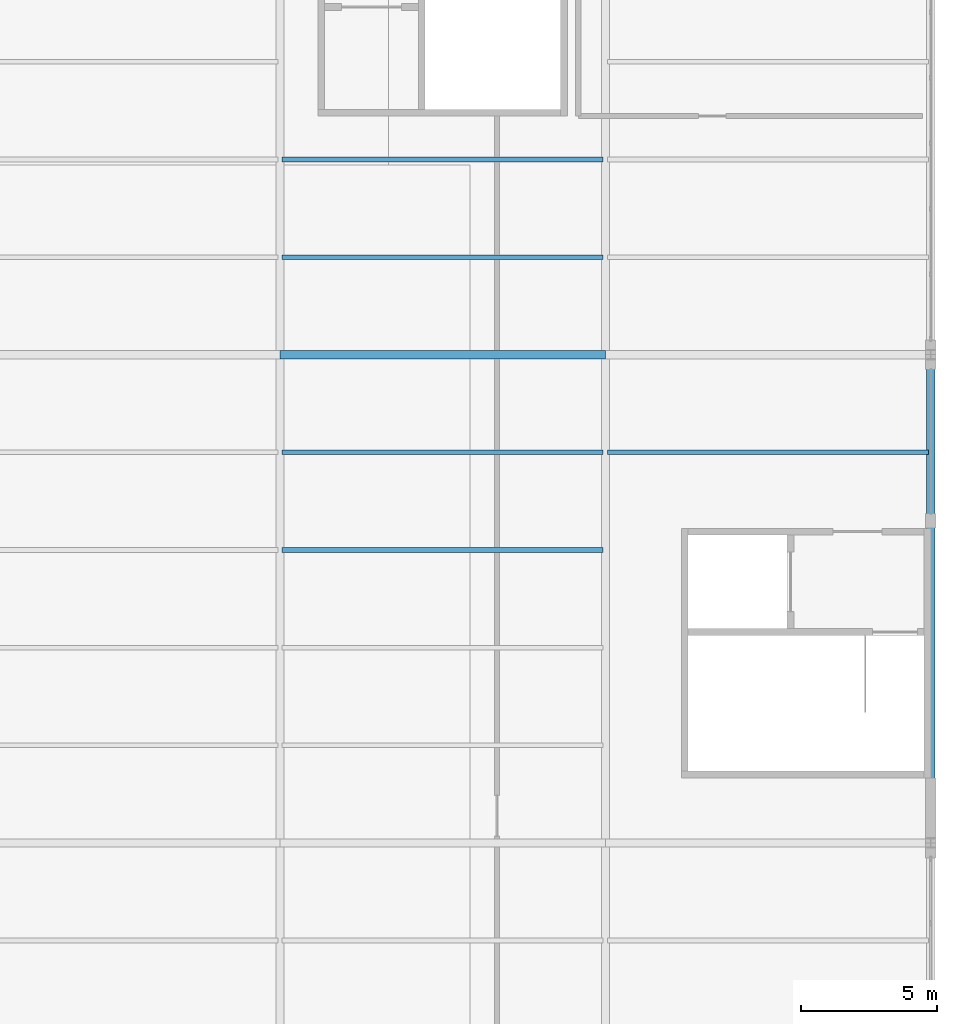
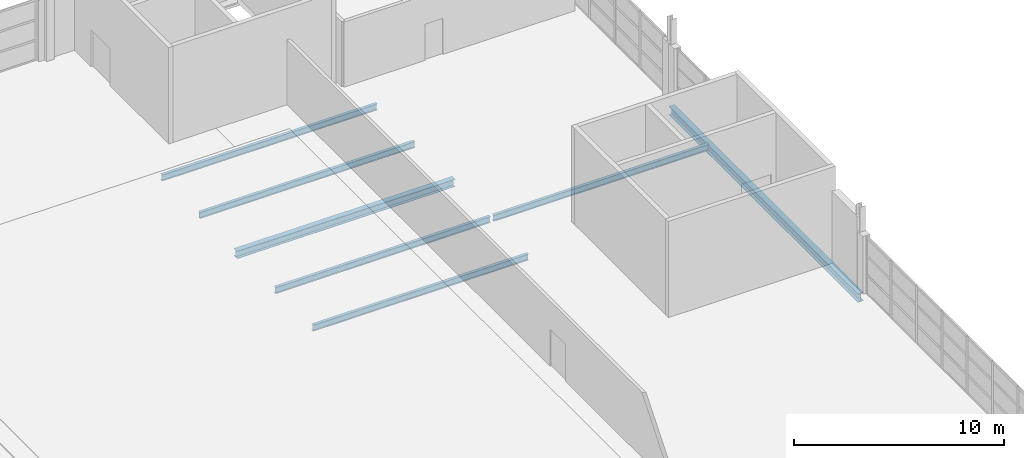
# One storey, part 43 of 86: 7 beams.
"""IFC4 building model written with IfcOpenShell, lengths in metres."""

import ifcopenshell
import ifcopenshell.guid

model = None  # the IFC model being written
_history = None  # IfcOwnerHistory: only IFC2X3 demands one
_inside = {}  # id of a spatial element -> (the spatial element, [elements in it])
_under = {}  # id of a project, library or spatial element -> (it, [spatial elements below it])
_declared = {}  # id of a project -> (the project, [libraries it declares])
_typed = {}  # id of a type object -> (the type object, [elements of that type])
_made_of = {}  # id of a material, layer set ... -> (it, [elements and type objects made of it])


def new_model(schema):
    """Start an empty IFC model of exactly this schema.

    Asked for "IFC4X3", IfcOpenShell would pick the latest addendum, in which some entities
    have other attributes; the version numbers below select the first issue.
    IFC2X3 requires an IfcOwnerHistory on every rooted entity: one is made here for all.
    """
    global model, _history
    if schema == "IFC4X3":
        model = ifcopenshell.file(schema_version=(4, 3, 0, 0))
    else:
        model = ifcopenshell.file(schema=schema)
    _inside.clear()
    _under.clear()
    _declared.clear()
    _typed.clear()
    _made_of.clear()
    _history = None
    if model.schema == "IFC2X3":
        org = make("IfcOrganization", Name="unknown")
        user = make(
            "IfcPersonAndOrganization",
            ThePerson=make("IfcPerson", FamilyName="unknown"),
            TheOrganization=org,
        )
        app = make(
            "IfcApplication",
            ApplicationDeveloper=org,
            Version="unknown",
            ApplicationFullName="unknown",
            ApplicationIdentifier="unknown",
        )
        _history = make(
            "IfcOwnerHistory",
            OwningUser=user,
            OwningApplication=app,
            ChangeAction="ADDED",
            CreationDate=0,
        )
    return model


def make(cls, **values):
    """One entity of the class cls with the attributes given. An attribute that is None is left unset."""
    return model.create_entity(
        cls, **{name: value for name, value in values.items() if value is not None}
    )


def rooted(cls, **values):
    """An entity with a GlobalId (a new one), such as an element, a storey or a relation."""
    return make(cls, GlobalId=ifcopenshell.guid.new(), OwnerHistory=_history, **values)


def si_unit(unit_type, name, prefix=None):
    """IfcSIUnit, for example si_unit("LENGTHUNIT", "METRE", prefix="MILLI")."""
    return make("IfcSIUnit", UnitType=unit_type, Prefix=prefix, Name=name)


def assignment(units):
    """IfcUnitAssignment: the units of a project."""
    return None if units is None else make("IfcUnitAssignment", Units=units)


def point(xyz):
    """IfcCartesianPoint."""
    return None if xyz is None else make("IfcCartesianPoint", Coordinates=xyz)


def direction(xyz):
    """IfcDirection."""
    return None if xyz is None else make("IfcDirection", DirectionRatios=xyz)


def frame(location, z_axis=None, x_axis=None):
    """IfcAxis2Placement3D, a coordinate frame: its origin and axes. An axis left out is left unset."""
    return make(
        "IfcAxis2Placement3D",
        Location=point(location),
        Axis=direction(z_axis),
        RefDirection=direction(x_axis),
    )


def frame_2d(location, x_axis=None):
    """IfcAxis2Placement2D, a coordinate frame in the plane: its origin and x axis."""
    return make(
        "IfcAxis2Placement2D", Location=point(location), RefDirection=direction(x_axis)
    )


def origin():
    """The frame at (0, 0, 0) with its axes left unset."""
    return frame((0.0, 0.0, 0.0))


def origin_2d():
    """The frame at (0, 0) in the plane with its x axis left unset."""
    return frame_2d((0.0, 0.0))


def place(relative_to, where):
    """IfcLocalPlacement: puts the frame where relative to a parent placement (None: the world)."""
    return make(
        "IfcLocalPlacement", PlacementRelTo=relative_to, RelativePlacement=where
    )


def context(
    kind, dimensions, precision=None, world=None, true_north=None, identifier=None
):
    """IfcGeometricRepresentationContext, for example the 3D "Model" context."""
    return make(
        "IfcGeometricRepresentationContext",
        ContextIdentifier=identifier,
        ContextType=kind,
        CoordinateSpaceDimension=dimensions,
        Precision=precision,
        WorldCoordinateSystem=world,
        TrueNorth=true_north,
    )


def subcontext(parent, identifier, kind, view, scale=None):
    """IfcGeometricRepresentationSubContext, for example "Body" below "Model"."""
    return make(
        "IfcGeometricRepresentationSubContext",
        ContextIdentifier=identifier,
        ContextType=kind,
        ParentContext=parent,
        TargetScale=scale,
        TargetView=view,
    )


def project(units=None, contexts=None):
    """IfcProject with its units and contexts."""
    return rooted(
        "IfcProject",
        Name="project",
        RepresentationContexts=contexts,
        UnitsInContext=assignment(units),
    )


def spatial(cls, under=None, at=None, **own):
    """A site, building, storey or space (cls), placed at a placement, below another one or the project."""
    s = rooted(cls, ObjectPlacement=at, **own)
    if under is not None:
        _under.setdefault(under.id(), (under, []))[1].append(s)
    return s


def profile(cls, at=None, kind="AREA", **sizes):
    """A parametric profile (cls). Its sizes go by their IFC names, for example OverallWidth=200.0."""
    return make(cls, ProfileType=kind, Position=at, **sizes)


def i_section(**sizes):
    """IfcIShapeProfileDef."""
    return profile("IfcIShapeProfileDef", **sizes)


def extrude(swept, where, along, depth):
    """IfcExtrudedAreaSolid: the profile swept, set in the frame where, extruded along a direction by depth."""
    return make(
        "IfcExtrudedAreaSolid",
        SweptArea=swept,
        Position=where,
        ExtrudedDirection=direction(along),
        Depth=depth,
    )


def shape(context_of_items, identifier, shape_type, items):
    """IfcShapeRepresentation: the items that make up one representation, for example the "Body"."""
    return make(
        "IfcShapeRepresentation",
        ContextOfItems=context_of_items,
        RepresentationIdentifier=identifier,
        RepresentationType=shape_type,
        Items=items,
    )


def material(Name=None, Category=None):
    """IfcMaterial."""
    return make("IfcMaterial", Name=Name, Category=Category)


def material_profile(
    of_material, cross_section, Name=None, Category=None, Priority=None
):
    """IfcMaterialProfile: a cross section and its material."""
    return make(
        "IfcMaterialProfile",
        Name=Name,
        Material=of_material,
        Profile=cross_section,
        Priority=Priority,
        Category=Category,
    )


def profile_set(profiles, Name=None, composite=None):
    """IfcMaterialProfileSet."""
    return make(
        "IfcMaterialProfileSet",
        Name=Name,
        MaterialProfiles=profiles,
        CompositeProfile=composite,
    )


def made_of(thing, what):
    """Note that an element or type object is made of a material, layer set ...; save() writes the relation."""
    if what is not None:
        _made_of.setdefault(what.id(), (what, []))[1].append(thing)
    return thing


def type_object(cls, material=None, **own):
    """A type object (cls), such as IfcWallType, which elements share."""
    return made_of(rooted(cls, **own), material)


def element(
    cls,
    number,
    at=None,
    inside=None,
    cuts=None,
    type_object=None,
    material=None,
    context=None,
    identifier="Body",
    shape_type=None,
    held_by="IfcProductDefinitionShape",
    body=None,
    shapes=None,
    **own,
):
    """One element of the class cls, such as IfcWall. Its Tag is "e" and its number.

    at: its placement. inside: the storey or other place that contains it. cuts: it is an
    opening in that element (IfcRelVoidsElement). A single representation is given by context,
    identifier, shape_type and body (its items); several are given by shapes. held_by: the class
    of the entity that holds the representations. save() writes the other relations.
    """
    e = rooted(cls, Tag="e%d" % number, ObjectPlacement=at, **own)
    if body is not None:
        shapes = [shape(context, identifier, shape_type, body)]
    if shapes is not None:
        e.Representation = make(held_by, Representations=shapes)
    if inside is not None:
        _inside.setdefault(inside.id(), (inside, []))[1].append(e)
    if cuts is not None:
        rooted(
            "IfcRelVoidsElement", RelatingBuildingElement=cuts, RelatedOpeningElement=e
        )
    if type_object is not None:
        _typed.setdefault(type_object.id(), (type_object, []))[1].append(e)
    return made_of(e, material)


def aggregate(whole, parts):
    """IfcRelAggregates: a whole, such as a stair, and the parts it consists of."""
    return rooted("IfcRelAggregates", RelatingObject=whole, RelatedObjects=parts)


def save(model, path):
    """Write the relations noted so far, then the file.

    IfcRelAggregates (storeys below a building ...), IfcRelContainedInSpatialStructure (elements
    in a storey), IfcRelDefinesByType, IfcRelAssociatesMaterial and IfcRelDeclares: one each for
    every whole, place, type object, material and project.
    """
    for whole, parts in _under.values():
        aggregate(whole, parts)
    for where, things in _inside.values():
        rooted(
            "IfcRelContainedInSpatialStructure",
            RelatedElements=things,
            RelatingStructure=where,
        )
    for kind, things in _typed.values():
        rooted("IfcRelDefinesByType", RelatedObjects=things, RelatingType=kind)
    for what, things in _made_of.values():
        rooted("IfcRelAssociatesMaterial", RelatedObjects=things, RelatingMaterial=what)
    for by, libraries in _declared.values():
        rooted("IfcRelDeclares", RelatingContext=by, RelatedDefinitions=libraries)
    model.write(path)


model = new_model("IFC4")

# Units and contexts
model_context = context("Model", 3, precision=1e-05, world=origin(), true_north=direction((0.0, 1.0)))
body_context = subcontext(model_context, "Body", "Model", "MODEL_VIEW")
ifc_project = project(units=[si_unit("LENGTHUNIT", "METRE"), si_unit("AREAUNIT", "SQUARE_METRE"), si_unit("VOLUMEUNIT", "CUBIC_METRE"), si_unit("PLANEANGLEUNIT", "RADIAN"), si_unit("MASSUNIT", "GRAM", prefix="KILO")], contexts=[model_context])

# Site, building, storey
site_placement = place(None, origin())
site = spatial("IfcSite", under=ifc_project, at=site_placement, CompositionType="ELEMENT")
building_placement = place(site_placement, origin())
building = spatial("IfcBuilding", under=site, at=building_placement, Name="Zilviju Railside Exhibition Hall", CompositionType="ELEMENT")
storey_placement = place(building_placement, frame((0.0, 0.0, 12.60009765625)))
storey = spatial("IfcBuildingStorey", under=building, at=storey_placement, Name="L04", CompositionType="ELEMENT", Elevation=12.60009765625)

# Beams
ifc_material = material(Name="Steel S355J2", Category="steel")
ifc_material_profile_1 = material_profile(ifc_material, i_section(OverallWidth=0.300048828125, OverallDepth=0.43994140625, WebThickness=0.011474609375, FlangeThickness=0.02099609375, at=origin_2d()), Name="HEA 450")
ifc_profile_set_1 = profile_set([ifc_material_profile_1], Name="Steel S355J2")
beam_type_1 = type_object("IfcBeamType", Name="BM-HEA450", PredefinedType="BEAM", material=ifc_profile_set_1)
beam_1_placement = place(storey_placement, frame((192.0, 120.0, -0.550048828125), z_axis=(1.0, 0.0, 0.0), x_axis=(0.0, 1.0, 0.0)))
element("IfcBeam", 1, at=beam_1_placement, inside=storey, type_object=beam_type_1, Name="Primary Girder L04 Y=120.0 (192.0..204.0)", PredefinedType="BEAM", context=body_context, shape_type="SweptSolid", body=[
    extrude(i_section(OverallWidth=0.300048828125, OverallDepth=0.43994140625, WebThickness=0.011474609375, FlangeThickness=0.02099609375, at=origin_2d()), origin(), (0.0, 0.0, 1.0), 12.0),
])
ifc_material_profile_2 = material_profile(ifc_material, i_section(OverallWidth=0.300048828125, OverallDepth=0.5, WebThickness=0.014404296875, FlangeThickness=0.028076171875, at=origin_2d()), Name="HEB 500")
ifc_profile_set_2 = profile_set([ifc_material_profile_2], Name="Steel S355J2")
beam_type_2 = type_object("IfcBeamType", Name="BM-HEB500", PredefinedType="BEAM", material=ifc_profile_set_2)
beam_2_placement = place(storey_placement, frame((216.0, 102.0, -0.580078125), z_axis=(0.0, 1.0, 0.0), x_axis=(-1.0, 0.0, 0.0)))
element("IfcBeam", 2, at=beam_2_placement, inside=storey, type_object=beam_type_2, Name="Transverse Girder L04 X=216.0 (102.0..120.0)", PredefinedType="BEAM", context=body_context, shape_type="SweptSolid", body=[
    extrude(i_section(OverallWidth=0.300048828125, OverallDepth=0.5, WebThickness=0.014404296875, FlangeThickness=0.028076171875, at=origin_2d()), origin(), (0.0, 0.0, 1.0), 18.0),
])
ifc_material_profile_3 = material_profile(ifc_material, i_section(OverallWidth=0.169921875, OverallDepth=0.360107421875, WebThickness=0.008056640625, FlangeThickness=0.0126953125, at=origin_2d()), Name="IPE 360")
ifc_profile_set_3 = profile_set([ifc_material_profile_3], Name="Steel S355J2")
beam_type_3 = type_object("IfcBeamType", Name="BM-IPE360", PredefinedType="JOIST", material=ifc_profile_set_3)
for number, where, z_axis, x_axis, name in (
    (3, (192.080078125, 112.800048828125, -0.510009765625), (1.0, 0.0, 0.0), (0.0, 1.0, 0.0), "Composite Floor Joist L04 Y=112.80 (192.0..204.0)"),
    (4, (192.080078125, 116.39990234375, -0.510009765625), (1.0, 0.0, 0.0), (0.0, 1.0, 0.0), "Composite Floor Joist L04 Y=116.40 (192.0..204.0)"),
    (5, (192.080078125, 123.60009765625, -0.510009765625), (1.0, 0.0, 0.0), (0.0, 1.0, 0.0), "Composite Floor Joist L04 Y=123.60 (192.0..204.0)"),
    (6, (192.080078125, 127.199951171875, -0.510009765625), (1.0, 0.0, 0.0), (0.0, 1.0, 0.0), "Composite Floor Joist L04 Y=127.20 (192.0..204.0)"),
    (7, (204.080078125, 116.39990234375, -0.510009765625), (1.0, 0.0, 0.0), (0.0, 1.0, 0.0), "Composite Floor Joist L04 Y=116.40 (204.0..216.0)"),
):
    element("IfcBeam", number, at=place(storey_placement, frame(where, z_axis=z_axis, x_axis=x_axis)), inside=storey, type_object=beam_type_3, Name=name, PredefinedType="JOIST", context=body_context, shape_type="SweptSolid", body=[
        extrude(i_section(OverallWidth=0.169921875, OverallDepth=0.360107421875, WebThickness=0.008056640625, FlangeThickness=0.0126953125, at=origin_2d()), origin(), (0.0, 0.0, 1.0), 11.83984375),
    ])

save(model, "model.ifc")
